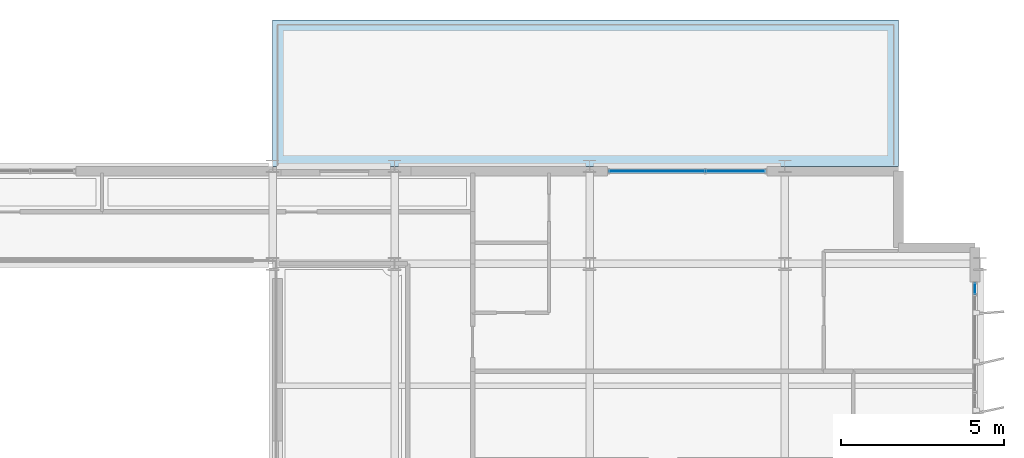
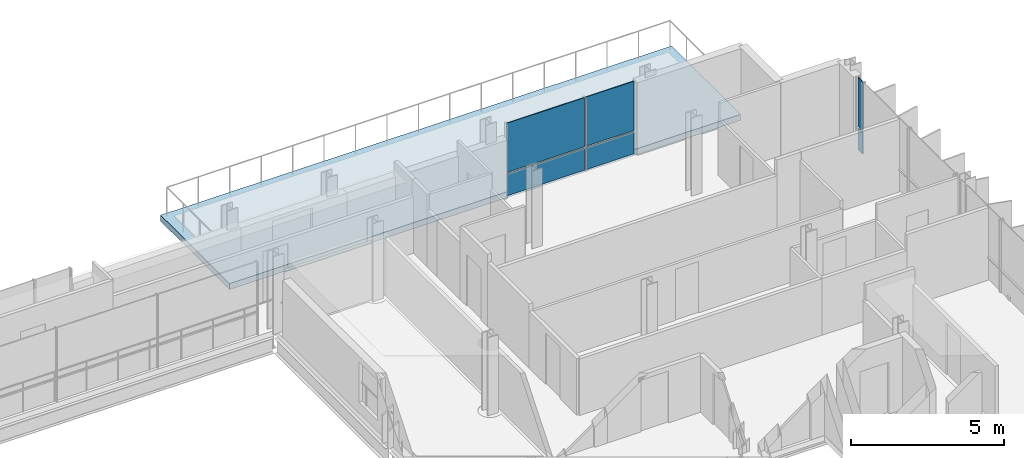
# One storey, part 27 of 38: 6 plates, 1 slab, 2 elements without a shape of their own.
"""IFC4 building model written with IfcOpenShell, lengths in metres."""

import ifcopenshell
import ifcopenshell.guid

model = None  # the IFC model being written
_history = None  # IfcOwnerHistory: only IFC2X3 demands one
_inside = {}  # id of a spatial element -> (the spatial element, [elements in it])
_under = {}  # id of a project, library or spatial element -> (it, [spatial elements below it])
_declared = {}  # id of a project -> (the project, [libraries it declares])
_typed = {}  # id of a type object -> (the type object, [elements of that type])
_made_of = {}  # id of a material, layer set ... -> (it, [elements and type objects made of it])


def new_model(schema):
    """Start an empty IFC model of exactly this schema.

    Asked for "IFC4X3", IfcOpenShell would pick the latest addendum, in which some entities
    have other attributes; the version numbers below select the first issue.
    IFC2X3 requires an IfcOwnerHistory on every rooted entity: one is made here for all.
    """
    global model, _history
    if schema == "IFC4X3":
        model = ifcopenshell.file(schema_version=(4, 3, 0, 0))
    else:
        model = ifcopenshell.file(schema=schema)
    _inside.clear()
    _under.clear()
    _declared.clear()
    _typed.clear()
    _made_of.clear()
    _history = None
    if model.schema == "IFC2X3":
        org = make("IfcOrganization", Name="unknown")
        user = make(
            "IfcPersonAndOrganization",
            ThePerson=make("IfcPerson", FamilyName="unknown"),
            TheOrganization=org,
        )
        app = make(
            "IfcApplication",
            ApplicationDeveloper=org,
            Version="unknown",
            ApplicationFullName="unknown",
            ApplicationIdentifier="unknown",
        )
        _history = make(
            "IfcOwnerHistory",
            OwningUser=user,
            OwningApplication=app,
            ChangeAction="ADDED",
            CreationDate=0,
        )
    return model


def make(cls, **values):
    """One entity of the class cls with the attributes given. An attribute that is None is left unset."""
    return model.create_entity(
        cls, **{name: value for name, value in values.items() if value is not None}
    )


def rooted(cls, **values):
    """An entity with a GlobalId (a new one), such as an element, a storey or a relation."""
    return make(cls, GlobalId=ifcopenshell.guid.new(), OwnerHistory=_history, **values)


def si_unit(unit_type, name, prefix=None):
    """IfcSIUnit, for example si_unit("LENGTHUNIT", "METRE", prefix="MILLI")."""
    return make("IfcSIUnit", UnitType=unit_type, Prefix=prefix, Name=name)


def assignment(units):
    """IfcUnitAssignment: the units of a project."""
    return None if units is None else make("IfcUnitAssignment", Units=units)


def point(xyz):
    """IfcCartesianPoint."""
    return None if xyz is None else make("IfcCartesianPoint", Coordinates=xyz)


def direction(xyz):
    """IfcDirection."""
    return None if xyz is None else make("IfcDirection", DirectionRatios=xyz)


def frame(location, z_axis=None, x_axis=None):
    """IfcAxis2Placement3D, a coordinate frame: its origin and axes. An axis left out is left unset."""
    return make(
        "IfcAxis2Placement3D",
        Location=point(location),
        Axis=direction(z_axis),
        RefDirection=direction(x_axis),
    )


def frame_2d(location, x_axis=None):
    """IfcAxis2Placement2D, a coordinate frame in the plane: its origin and x axis."""
    return make(
        "IfcAxis2Placement2D", Location=point(location), RefDirection=direction(x_axis)
    )


def origin():
    """The frame at (0, 0, 0) with its axes left unset."""
    return frame((0.0, 0.0, 0.0))


def origin_2d():
    """The frame at (0, 0) in the plane with its x axis left unset."""
    return frame_2d((0.0, 0.0))


def place(relative_to, where):
    """IfcLocalPlacement: puts the frame where relative to a parent placement (None: the world)."""
    return make(
        "IfcLocalPlacement", PlacementRelTo=relative_to, RelativePlacement=where
    )


def context(
    kind, dimensions, precision=None, world=None, true_north=None, identifier=None
):
    """IfcGeometricRepresentationContext, for example the 3D "Model" context."""
    return make(
        "IfcGeometricRepresentationContext",
        ContextIdentifier=identifier,
        ContextType=kind,
        CoordinateSpaceDimension=dimensions,
        Precision=precision,
        WorldCoordinateSystem=world,
        TrueNorth=true_north,
    )


def subcontext(parent, identifier, kind, view, scale=None):
    """IfcGeometricRepresentationSubContext, for example "Body" below "Model"."""
    return make(
        "IfcGeometricRepresentationSubContext",
        ContextIdentifier=identifier,
        ContextType=kind,
        ParentContext=parent,
        TargetScale=scale,
        TargetView=view,
    )


def project(units=None, contexts=None):
    """IfcProject with its units and contexts."""
    return rooted(
        "IfcProject",
        Name="project",
        RepresentationContexts=contexts,
        UnitsInContext=assignment(units),
    )


def spatial(cls, under=None, at=None, **own):
    """A site, building, storey or space (cls), placed at a placement, below another one or the project."""
    s = rooted(cls, ObjectPlacement=at, **own)
    if under is not None:
        _under.setdefault(under.id(), (under, []))[1].append(s)
    return s


def polyline(points):
    """IfcPolyline through the points."""
    return make("IfcPolyline", Points=[point(p) for p in points])


def profile(cls, at=None, kind="AREA", **sizes):
    """A parametric profile (cls). Its sizes go by their IFC names, for example OverallWidth=200.0."""
    return make(cls, ProfileType=kind, Position=at, **sizes)


def rectangle(**sizes):
    """IfcRectangleProfileDef."""
    return profile("IfcRectangleProfileDef", **sizes)


def outline(outer, holes=None, kind="AREA"):
    """IfcArbitraryClosedProfileDef: a profile drawn as a closed curve; with holes, ...WithVoids."""
    if holes is None:
        return make("IfcArbitraryClosedProfileDef", ProfileType=kind, OuterCurve=outer)
    return make(
        "IfcArbitraryProfileDefWithVoids",
        ProfileType=kind,
        OuterCurve=outer,
        InnerCurves=holes,
    )


def extrude(swept, where, along, depth):
    """IfcExtrudedAreaSolid: the profile swept, set in the frame where, extruded along a direction by depth."""
    return make(
        "IfcExtrudedAreaSolid",
        SweptArea=swept,
        Position=where,
        ExtrudedDirection=direction(along),
        Depth=depth,
    )


def shape(context_of_items, identifier, shape_type, items):
    """IfcShapeRepresentation: the items that make up one representation, for example the "Body"."""
    return make(
        "IfcShapeRepresentation",
        ContextOfItems=context_of_items,
        RepresentationIdentifier=identifier,
        RepresentationType=shape_type,
        Items=items,
    )


def material(Name=None, Category=None):
    """IfcMaterial."""
    return make("IfcMaterial", Name=Name, Category=Category)


def layer(
    of_material, thickness, ventilated=None, Name=None, Category=None, Priority=None
):
    """IfcMaterialLayer: one layer of a wall or slab, of a material (None: an air gap)."""
    return make(
        "IfcMaterialLayer",
        Material=of_material,
        LayerThickness=thickness,
        IsVentilated=ventilated,
        Name=Name,
        Category=Category,
        Priority=Priority,
    )


def layer_set(layers, Name=None):
    """IfcMaterialLayerSet."""
    return make("IfcMaterialLayerSet", MaterialLayers=layers, LayerSetName=Name)


def made_of(thing, what):
    """Note that an element or type object is made of a material, layer set ...; save() writes the relation."""
    if what is not None:
        _made_of.setdefault(what.id(), (what, []))[1].append(thing)
    return thing


def type_object(cls, material=None, **own):
    """A type object (cls), such as IfcWallType, which elements share."""
    return made_of(rooted(cls, **own), material)


def element(
    cls,
    number,
    at=None,
    inside=None,
    cuts=None,
    type_object=None,
    material=None,
    context=None,
    identifier="Body",
    shape_type=None,
    held_by="IfcProductDefinitionShape",
    body=None,
    shapes=None,
    **own,
):
    """One element of the class cls, such as IfcWall. Its Tag is "e" and its number.

    at: its placement. inside: the storey or other place that contains it. cuts: it is an
    opening in that element (IfcRelVoidsElement). A single representation is given by context,
    identifier, shape_type and body (its items); several are given by shapes. held_by: the class
    of the entity that holds the representations. save() writes the other relations.
    """
    e = rooted(cls, Tag="e%d" % number, ObjectPlacement=at, **own)
    if body is not None:
        shapes = [shape(context, identifier, shape_type, body)]
    if shapes is not None:
        e.Representation = make(held_by, Representations=shapes)
    if inside is not None:
        _inside.setdefault(inside.id(), (inside, []))[1].append(e)
    if cuts is not None:
        rooted(
            "IfcRelVoidsElement", RelatingBuildingElement=cuts, RelatedOpeningElement=e
        )
    if type_object is not None:
        _typed.setdefault(type_object.id(), (type_object, []))[1].append(e)
    return made_of(e, material)


def aggregate(whole, parts):
    """IfcRelAggregates: a whole, such as a stair, and the parts it consists of."""
    return rooted("IfcRelAggregates", RelatingObject=whole, RelatedObjects=parts)


def save(model, path):
    """Write the relations noted so far, then the file.

    IfcRelAggregates (storeys below a building ...), IfcRelContainedInSpatialStructure (elements
    in a storey), IfcRelDefinesByType, IfcRelAssociatesMaterial and IfcRelDeclares: one each for
    every whole, place, type object, material and project.
    """
    for whole, parts in _under.values():
        aggregate(whole, parts)
    for where, things in _inside.values():
        rooted(
            "IfcRelContainedInSpatialStructure",
            RelatedElements=things,
            RelatingStructure=where,
        )
    for kind, things in _typed.values():
        rooted("IfcRelDefinesByType", RelatedObjects=things, RelatingType=kind)
    for what, things in _made_of.values():
        rooted("IfcRelAssociatesMaterial", RelatedObjects=things, RelatingMaterial=what)
    for by, libraries in _declared.values():
        rooted("IfcRelDeclares", RelatingContext=by, RelatedDefinitions=libraries)
    model.write(path)


model = new_model("IFC4")

# Units and contexts
model_context = context("Model", 3, precision=1e-05, world=origin(), true_north=direction((0.0, 1.0)))
body_context = subcontext(model_context, "Body", "Model", "MODEL_VIEW")
ifc_project = project(units=[si_unit("LENGTHUNIT", "METRE"), si_unit("AREAUNIT", "SQUARE_METRE"), si_unit("VOLUMEUNIT", "CUBIC_METRE"), si_unit("PLANEANGLEUNIT", "RADIAN"), si_unit("MASSUNIT", "GRAM", prefix="KILO")], contexts=[model_context])

# Site, building, storey
site_placement = place(None, origin())
site = spatial("IfcSite", under=ifc_project, at=site_placement, CompositionType="ELEMENT")
building_placement = place(site_placement, origin())
building = spatial("IfcBuilding", under=site, at=building_placement, Name="Brevholm Reach", CompositionType="ELEMENT")
storey_placement = place(building_placement, frame((0.0, 0.0, 172.800048828125)))
storey = spatial("IfcBuildingStorey", under=building, at=storey_placement, Name="L52", CompositionType="ELEMENT", Elevation=172.800048828125)

# Curtain wall, plates
ifc_material_1 = material(Name="Dark Anodised Aluminium 6063-T6 and Solar-Control Glass", Category="aluminium")
ifc_layer_1 = layer(ifc_material_1, 0.14990234375)
ifc_layer_set_1 = layer_set([ifc_layer_1], Name="Dark Anodised Aluminium 6063-T6 and Solar-Control Glass")
curtain_wall_type = type_object("IfcCurtainWallType", Name="CW-01", PredefinedType="NOTDEFINED", material=ifc_layer_set_1)
curtain_wall_1_placement = place(storey_placement, origin())
curtain_wall_1 = element("IfcCurtainWall", 1, at=curtain_wall_1_placement, inside=storey, type_object=curtain_wall_type, Name="L52 Curtain Wall CW-01", PredefinedType="NOTDEFINED")
ifc_material_2 = material(Name="Dark Solar-Control Double-Glazed IGU Glass", Category="glass")
ifc_layer_2 = layer(ifc_material_2, 0.028076171875)
ifc_layer_set_2 = layer_set([ifc_layer_2], Name="Dark Solar-Control Double-Glazed IGU Glass")
plate_type = type_object("IfcPlateType", Name="CWP-GLZ-28", PredefinedType="CURTAIN_PANEL", material=ifc_layer_set_2)
plate_1_placement = place(storey_placement, frame((59.85009765625, 22.733642578125, 0.0), z_axis=(0.0, 0.0, 1.0), x_axis=(0.0, 1.0, 0.0)))
plate_1 = element("IfcPlate", 2, at=plate_1_placement, type_object=plate_type, Name="CP-01 Glazing Panel 5.1", PredefinedType="CURTAIN_PANEL", context=body_context, shape_type="SweptSolid", body=[
    extrude(rectangle(XDim=0.302490234375, YDim=0.028076171875, at=origin_2d()), origin(), (0.0, 0.0, 1.0), 0.867431640625),
])
plate_2_placement = place(storey_placement, frame((59.85009765625, 22.733642578125, 0.932373046875), z_axis=(0.0, 0.0, 1.0), x_axis=(0.0, 1.0, 0.0)))
plate_2 = element("IfcPlate", 3, at=plate_2_placement, type_object=plate_type, Name="CP-01 Glazing Panel 5.2", PredefinedType="CURTAIN_PANEL", context=body_context, shape_type="SweptSolid", body=[
    extrude(rectangle(XDim=0.302490234375, YDim=0.028076171875, at=origin_2d()), origin(), (0.0, 0.0, 1.0), 1.95751953125),
])
aggregate(curtain_wall_1, [plate_1, plate_2])

curtain_wall_2_placement = place(storey_placement, origin())
curtain_wall_2 = element("IfcCurtainWall", 4, at=curtain_wall_2_placement, inside=storey, type_object=curtain_wall_type, Name="L52 Curtain Wall CW-01", PredefinedType="NOTDEFINED")
plate_3_placement = place(storey_placement, frame((50.066162109375, 26.35009765625, 0.0), z_axis=(0.0, 0.0, 1.0), x_axis=(1.0, 0.0, 0.0)))
plate_3 = element("IfcPlate", 5, at=plate_3_placement, type_object=plate_type, Name="CP-01 Glazing Panel 1.1", PredefinedType="CURTAIN_PANEL", context=body_context, shape_type="SweptSolid", body=[
    extrude(rectangle(XDim=2.902587890625, YDim=0.028076171875, at=origin_2d()), origin(), (0.0, 0.0, 1.0), 0.867431640625),
])
plate_4_placement = place(storey_placement, frame((50.066162109375, 26.35009765625, 0.932373046875), z_axis=(0.0, 0.0, 1.0), x_axis=(1.0, 0.0, 0.0)))
plate_4 = element("IfcPlate", 6, at=plate_4_placement, type_object=plate_type, Name="CP-01 Glazing Panel 1.2", PredefinedType="CURTAIN_PANEL", context=body_context, shape_type="SweptSolid", body=[
    extrude(rectangle(XDim=2.902587890625, YDim=0.028076171875, at=origin_2d()), origin(), (0.0, 0.0, 1.0), 1.95751953125),
])
plate_5_placement = place(storey_placement, frame((52.483642578125, 26.35009765625, 0.0), z_axis=(0.0, 0.0, 1.0), x_axis=(1.0, 0.0, 0.0)))
plate_5 = element("IfcPlate", 7, at=plate_5_placement, type_object=plate_type, Name="CP-01 Glazing Panel 2.1", PredefinedType="CURTAIN_PANEL", context=body_context, shape_type="SweptSolid", body=[
    extrude(rectangle(XDim=1.802490234375, YDim=0.028076171875, at=origin_2d()), origin(), (0.0, 0.0, 1.0), 0.867431640625),
])
plate_6_placement = place(storey_placement, frame((52.483642578125, 26.35009765625, 0.932373046875), z_axis=(0.0, 0.0, 1.0), x_axis=(1.0, 0.0, 0.0)))
plate_6 = element("IfcPlate", 8, at=plate_6_placement, type_object=plate_type, Name="CP-01 Glazing Panel 2.2", PredefinedType="CURTAIN_PANEL", context=body_context, shape_type="SweptSolid", body=[
    extrude(rectangle(XDim=1.802490234375, YDim=0.028076171875, at=origin_2d()), origin(), (0.0, 0.0, 1.0), 1.95751953125),
])
aggregate(curtain_wall_2, [plate_3, plate_4, plate_5, plate_6])

# Slab
ifc_material_3 = material(Name="Concrete C40/50", Category="concrete")
ifc_layer_3 = layer(ifc_material_3, 0.239990234375)
ifc_layer_set_3 = layer_set([ifc_layer_3], Name="Concrete C40/50")
slab_type = type_object("IfcSlabType", Name="SLB-RF-240", PredefinedType="ROOF", material=ifc_layer_set_3)
slab_placement = place(storey_placement, frame((0.0, 0.0, -0.2099609375)))
element("IfcSlab", 9, at=slab_placement, inside=storey, type_object=slab_type, Name="Outdoor Terrace Roof Slab (terrace-e-l52)", PredefinedType="ROOF", context=body_context, shape_type="SweptSolid", body=[
    extrude(outline(polyline([(38.25, 26.5), (57.5, 26.5), (57.5, 31.0), (38.25, 31.0), (38.25, 26.5)])), origin(), (0.0, 0.0, 1.0), 0.239990234375),
])

save(model, "model.ifc")
